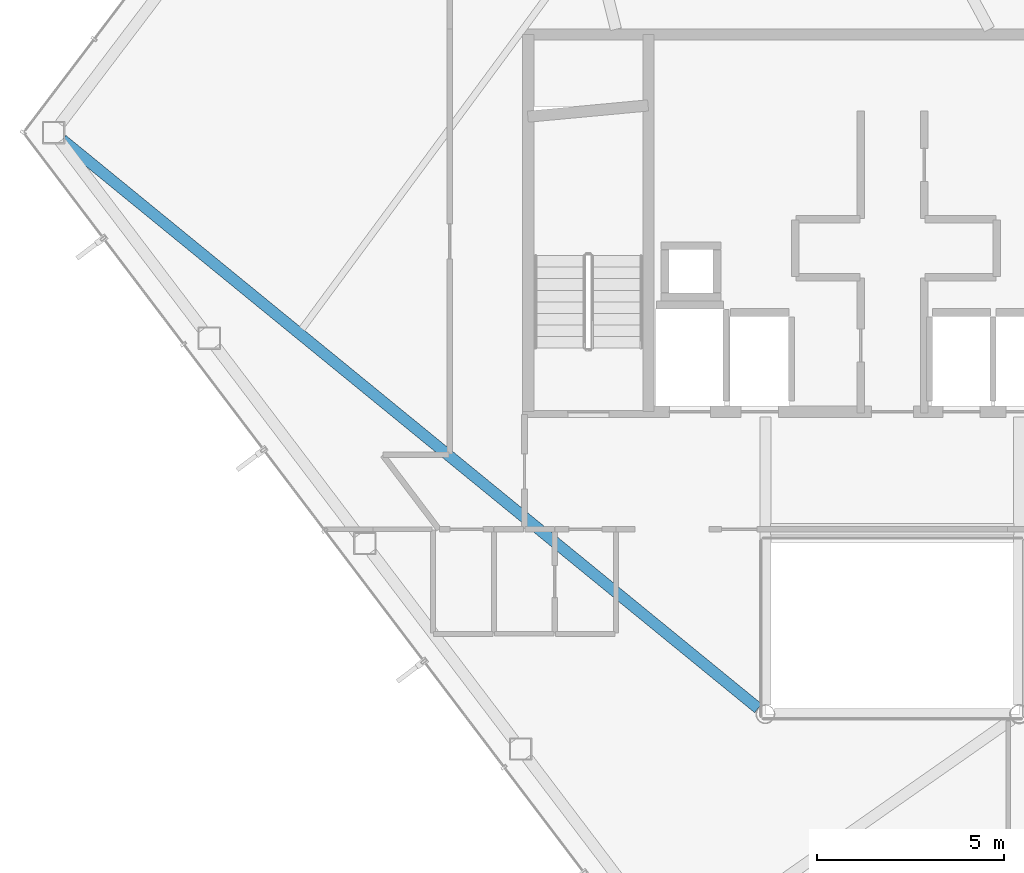
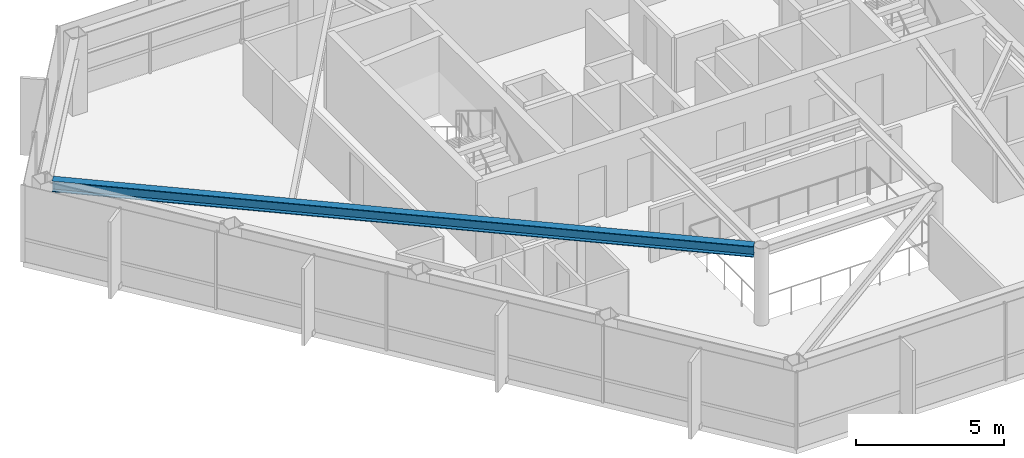
# One storey, part 6 of 28: 1 beam.
"""IFC4 building model written with IfcOpenShell, lengths in metres."""

import ifcopenshell
import ifcopenshell.guid

model = None  # the IFC model being written
_history = None  # IfcOwnerHistory: only IFC2X3 demands one
_inside = {}  # id of a spatial element -> (the spatial element, [elements in it])
_under = {}  # id of a project, library or spatial element -> (it, [spatial elements below it])
_declared = {}  # id of a project -> (the project, [libraries it declares])
_typed = {}  # id of a type object -> (the type object, [elements of that type])
_made_of = {}  # id of a material, layer set ... -> (it, [elements and type objects made of it])


def new_model(schema):
    """Start an empty IFC model of exactly this schema.

    Asked for "IFC4X3", IfcOpenShell would pick the latest addendum, in which some entities
    have other attributes; the version numbers below select the first issue.
    IFC2X3 requires an IfcOwnerHistory on every rooted entity: one is made here for all.
    """
    global model, _history
    if schema == "IFC4X3":
        model = ifcopenshell.file(schema_version=(4, 3, 0, 0))
    else:
        model = ifcopenshell.file(schema=schema)
    _inside.clear()
    _under.clear()
    _declared.clear()
    _typed.clear()
    _made_of.clear()
    _history = None
    if model.schema == "IFC2X3":
        org = make("IfcOrganization", Name="unknown")
        user = make(
            "IfcPersonAndOrganization",
            ThePerson=make("IfcPerson", FamilyName="unknown"),
            TheOrganization=org,
        )
        app = make(
            "IfcApplication",
            ApplicationDeveloper=org,
            Version="unknown",
            ApplicationFullName="unknown",
            ApplicationIdentifier="unknown",
        )
        _history = make(
            "IfcOwnerHistory",
            OwningUser=user,
            OwningApplication=app,
            ChangeAction="ADDED",
            CreationDate=0,
        )
    return model


def make(cls, **values):
    """One entity of the class cls with the attributes given. An attribute that is None is left unset."""
    return model.create_entity(
        cls, **{name: value for name, value in values.items() if value is not None}
    )


def rooted(cls, **values):
    """An entity with a GlobalId (a new one), such as an element, a storey or a relation."""
    return make(cls, GlobalId=ifcopenshell.guid.new(), OwnerHistory=_history, **values)


def si_unit(unit_type, name, prefix=None):
    """IfcSIUnit, for example si_unit("LENGTHUNIT", "METRE", prefix="MILLI")."""
    return make("IfcSIUnit", UnitType=unit_type, Prefix=prefix, Name=name)


def assignment(units):
    """IfcUnitAssignment: the units of a project."""
    return None if units is None else make("IfcUnitAssignment", Units=units)


def point(xyz):
    """IfcCartesianPoint."""
    return None if xyz is None else make("IfcCartesianPoint", Coordinates=xyz)


def direction(xyz):
    """IfcDirection."""
    return None if xyz is None else make("IfcDirection", DirectionRatios=xyz)


def frame(location, z_axis=None, x_axis=None):
    """IfcAxis2Placement3D, a coordinate frame: its origin and axes. An axis left out is left unset."""
    return make(
        "IfcAxis2Placement3D",
        Location=point(location),
        Axis=direction(z_axis),
        RefDirection=direction(x_axis),
    )


def frame_2d(location, x_axis=None):
    """IfcAxis2Placement2D, a coordinate frame in the plane: its origin and x axis."""
    return make(
        "IfcAxis2Placement2D", Location=point(location), RefDirection=direction(x_axis)
    )


def origin():
    """The frame at (0, 0, 0) with its axes left unset."""
    return frame((0.0, 0.0, 0.0))


def origin_2d():
    """The frame at (0, 0) in the plane with its x axis left unset."""
    return frame_2d((0.0, 0.0))


def place(relative_to, where):
    """IfcLocalPlacement: puts the frame where relative to a parent placement (None: the world)."""
    return make(
        "IfcLocalPlacement", PlacementRelTo=relative_to, RelativePlacement=where
    )


def context(
    kind, dimensions, precision=None, world=None, true_north=None, identifier=None
):
    """IfcGeometricRepresentationContext, for example the 3D "Model" context."""
    return make(
        "IfcGeometricRepresentationContext",
        ContextIdentifier=identifier,
        ContextType=kind,
        CoordinateSpaceDimension=dimensions,
        Precision=precision,
        WorldCoordinateSystem=world,
        TrueNorth=true_north,
    )


def subcontext(parent, identifier, kind, view, scale=None):
    """IfcGeometricRepresentationSubContext, for example "Body" below "Model"."""
    return make(
        "IfcGeometricRepresentationSubContext",
        ContextIdentifier=identifier,
        ContextType=kind,
        ParentContext=parent,
        TargetScale=scale,
        TargetView=view,
    )


def project(units=None, contexts=None):
    """IfcProject with its units and contexts."""
    return rooted(
        "IfcProject",
        Name="project",
        RepresentationContexts=contexts,
        UnitsInContext=assignment(units),
    )


def spatial(cls, under=None, at=None, **own):
    """A site, building, storey or space (cls), placed at a placement, below another one or the project."""
    s = rooted(cls, ObjectPlacement=at, **own)
    if under is not None:
        _under.setdefault(under.id(), (under, []))[1].append(s)
    return s


def profile(cls, at=None, kind="AREA", **sizes):
    """A parametric profile (cls). Its sizes go by their IFC names, for example OverallWidth=200.0."""
    return make(cls, ProfileType=kind, Position=at, **sizes)


def i_section(**sizes):
    """IfcIShapeProfileDef."""
    return profile("IfcIShapeProfileDef", **sizes)


def extrude(swept, where, along, depth):
    """IfcExtrudedAreaSolid: the profile swept, set in the frame where, extruded along a direction by depth."""
    return make(
        "IfcExtrudedAreaSolid",
        SweptArea=swept,
        Position=where,
        ExtrudedDirection=direction(along),
        Depth=depth,
    )


def shape(context_of_items, identifier, shape_type, items):
    """IfcShapeRepresentation: the items that make up one representation, for example the "Body"."""
    return make(
        "IfcShapeRepresentation",
        ContextOfItems=context_of_items,
        RepresentationIdentifier=identifier,
        RepresentationType=shape_type,
        Items=items,
    )


def material(Name=None, Category=None):
    """IfcMaterial."""
    return make("IfcMaterial", Name=Name, Category=Category)


def material_profile(
    of_material, cross_section, Name=None, Category=None, Priority=None
):
    """IfcMaterialProfile: a cross section and its material."""
    return make(
        "IfcMaterialProfile",
        Name=Name,
        Material=of_material,
        Profile=cross_section,
        Priority=Priority,
        Category=Category,
    )


def profile_set(profiles, Name=None, composite=None):
    """IfcMaterialProfileSet."""
    return make(
        "IfcMaterialProfileSet",
        Name=Name,
        MaterialProfiles=profiles,
        CompositeProfile=composite,
    )


def made_of(thing, what):
    """Note that an element or type object is made of a material, layer set ...; save() writes the relation."""
    if what is not None:
        _made_of.setdefault(what.id(), (what, []))[1].append(thing)
    return thing


def type_object(cls, material=None, **own):
    """A type object (cls), such as IfcWallType, which elements share."""
    return made_of(rooted(cls, **own), material)


def element(
    cls,
    number,
    at=None,
    inside=None,
    cuts=None,
    type_object=None,
    material=None,
    context=None,
    identifier="Body",
    shape_type=None,
    held_by="IfcProductDefinitionShape",
    body=None,
    shapes=None,
    **own,
):
    """One element of the class cls, such as IfcWall. Its Tag is "e" and its number.

    at: its placement. inside: the storey or other place that contains it. cuts: it is an
    opening in that element (IfcRelVoidsElement). A single representation is given by context,
    identifier, shape_type and body (its items); several are given by shapes. held_by: the class
    of the entity that holds the representations. save() writes the other relations.
    """
    e = rooted(cls, Tag="e%d" % number, ObjectPlacement=at, **own)
    if body is not None:
        shapes = [shape(context, identifier, shape_type, body)]
    if shapes is not None:
        e.Representation = make(held_by, Representations=shapes)
    if inside is not None:
        _inside.setdefault(inside.id(), (inside, []))[1].append(e)
    if cuts is not None:
        rooted(
            "IfcRelVoidsElement", RelatingBuildingElement=cuts, RelatedOpeningElement=e
        )
    if type_object is not None:
        _typed.setdefault(type_object.id(), (type_object, []))[1].append(e)
    return made_of(e, material)


def aggregate(whole, parts):
    """IfcRelAggregates: a whole, such as a stair, and the parts it consists of."""
    return rooted("IfcRelAggregates", RelatingObject=whole, RelatedObjects=parts)


def save(model, path):
    """Write the relations noted so far, then the file.

    IfcRelAggregates (storeys below a building ...), IfcRelContainedInSpatialStructure (elements
    in a storey), IfcRelDefinesByType, IfcRelAssociatesMaterial and IfcRelDeclares: one each for
    every whole, place, type object, material and project.
    """
    for whole, parts in _under.values():
        aggregate(whole, parts)
    for where, things in _inside.values():
        rooted(
            "IfcRelContainedInSpatialStructure",
            RelatedElements=things,
            RelatingStructure=where,
        )
    for kind, things in _typed.values():
        rooted("IfcRelDefinesByType", RelatedObjects=things, RelatingType=kind)
    for what, things in _made_of.values():
        rooted("IfcRelAssociatesMaterial", RelatedObjects=things, RelatingMaterial=what)
    for by, libraries in _declared.values():
        rooted("IfcRelDeclares", RelatingContext=by, RelatedDefinitions=libraries)
    model.write(path)


model = new_model("IFC4")

# Units and contexts
model_context = context("Model", 3, precision=1e-05, world=origin(), true_north=direction((0.0, 1.0)))
body_context = subcontext(model_context, "Body", "Model", "MODEL_VIEW")
ifc_project = project(units=[si_unit("LENGTHUNIT", "METRE"), si_unit("AREAUNIT", "SQUARE_METRE"), si_unit("VOLUMEUNIT", "CUBIC_METRE"), si_unit("PLANEANGLEUNIT", "RADIAN"), si_unit("MASSUNIT", "GRAM", prefix="KILO")], contexts=[model_context])

# Site, building, storey
site_placement = place(None, origin())
site = spatial("IfcSite", under=ifc_project, at=site_placement, CompositionType="ELEMENT")
building_placement = place(site_placement, origin())
building = spatial("IfcBuilding", under=site, at=building_placement, Name="Zarrinselat Tower", CompositionType="ELEMENT")
storey_placement = place(building_placement, frame((0.0, 0.0, 222.360107421875)))
storey = spatial("IfcBuildingStorey", under=building, at=storey_placement, Name="L55", CompositionType="ELEMENT", Elevation=222.360107421875)

# Beam
ifc_material = material(Name="Steel S355J2", Category="steel")
ifc_material_profile = material_profile(ifc_material, i_section(OverallWidth=0.300048828125, OverallDepth=0.449951171875, WebThickness=0.013916015625, FlangeThickness=0.02587890625, at=origin_2d()), Name="HEB 450")
ifc_profile_set = profile_set([ifc_material_profile], Name="Steel S355J2")
beam_type = type_object("IfcBeamType", Name="BM-HEB450", PredefinedType="BEAM", material=ifc_profile_set)
beam_placement = place(storey_placement, frame((16.176025390625, 40.580810546875, 2.954833984375), z_axis=(0.774372184574, -0.632730368924, 0.0), x_axis=(0.632730368924, 0.774372184574, 0.0)))
element("IfcBeam", 1, at=beam_placement, inside=storey, type_object=beam_type, Name="L55 Radial Primary Girder RG06", PredefinedType="BEAM", context=body_context, shape_type="SweptSolid", body=[
    extrude(i_section(OverallWidth=0.300048828125, OverallDepth=0.449951171875, WebThickness=0.013916015625, FlangeThickness=0.02587890625, at=origin_2d()), origin(), (0.0, 0.0, 1.0), 24.05859375),
])

save(model, "model.ifc")
